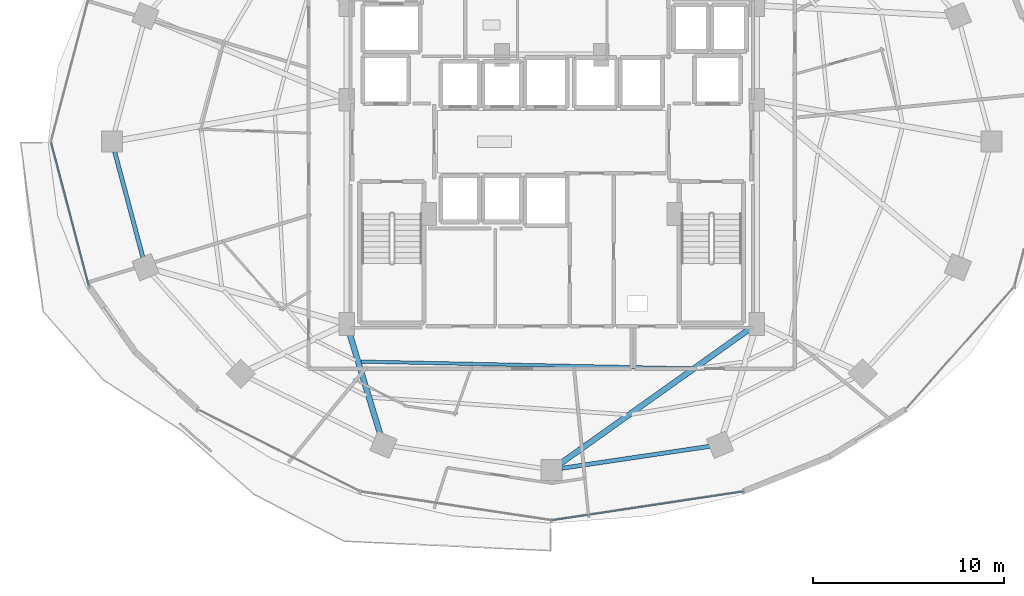
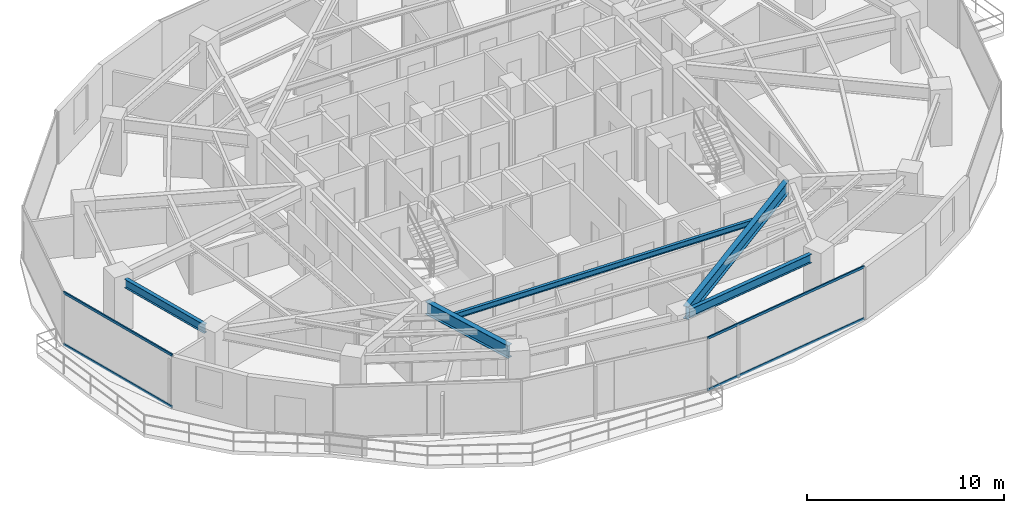
# One storey, part 6 of 29: 5 beams, 4 members, 2 elements without a shape of their own.
"""IFC4 building model written with IfcOpenShell, lengths in metres."""

from ifc_helpers import new_model, si_unit, direction, frame, origin, origin_2d, place, context, subcontext, project, spatial, hollow_rectangle, i_section, extrude, material, material_profile, profile_set, type_object, element, aggregate, save


model = new_model("IFC4")

# Units and contexts
model_context = context("Model", 3, precision=1e-05, world=origin(), true_north=direction((0.0, 1.0)))
body_context = subcontext(model_context, "Body", "Model", "MODEL_VIEW")
ifc_project = project(units=[si_unit("LENGTHUNIT", "METRE"), si_unit("AREAUNIT", "SQUARE_METRE"), si_unit("VOLUMEUNIT", "CUBIC_METRE"), si_unit("PLANEANGLEUNIT", "RADIAN"), si_unit("MASSUNIT", "GRAM", prefix="KILO")], contexts=[model_context])

# Site, building, storey
site_placement = place(None, origin())
site = spatial("IfcSite", under=ifc_project, at=site_placement, CompositionType="ELEMENT")
building_placement = place(site_placement, origin())
building = spatial("IfcBuilding", under=site, at=building_placement, Name="Vorneva Point Tower", CompositionType="ELEMENT")
storey_placement = place(building_placement, frame((0.0, 0.0, 117.300048828125)))
storey = spatial("IfcBuildingStorey", under=building, at=storey_placement, Name="L31", CompositionType="ELEMENT", Elevation=117.300048828125)

# Beams
ifc_material_1 = material(Name="Steel S355", Category="steel")
ifc_material_profile_1 = material_profile(ifc_material_1, i_section(OverallWidth=0.300048828125, OverallDepth=0.7880859375, WebThickness=0.014404296875, FlangeThickness=0.02197265625, at=origin_2d()), Name="80Sh1")
ifc_profile_set_1 = profile_set([ifc_material_profile_1], Name="Steel S355")
beam_type_1 = type_object("IfcBeamType", Name="BM-GRD-80Sh1", PredefinedType="USERDEFINED", material=ifc_profile_set_1)
beam_1_placement = place(storey_placement, frame((29.0224609375, 10.6240234375, 2.845947265625), z_axis=(-0.291034888253, 0.956712440506, 0.0), x_axis=(-0.956712440506, -0.291034888253, 0.0)))
element("IfcBeam", 1, at=beam_1_placement, inside=storey, type_object=beam_type_1, Name="L31 Radial Primary Girder 12", ObjectType="GIRDER", PredefinedType="USERDEFINED", context=body_context, shape_type="SweptSolid", body=[
    extrude(i_section(OverallWidth=0.300048828125, OverallDepth=0.7880859375, WebThickness=0.014404296875, FlangeThickness=0.02197265625, at=origin_2d()), origin(), (0.0, 0.0, 1.0), 5.74951171875),
])
beam_2_placement = place(storey_placement, frame((38.438232421875, 9.11181640625, 2.845947265625), z_axis=(0.814750142675, 0.5798122153, 0.0), x_axis=(-0.5798122153, 0.814750142675, 0.0)))
element("IfcBeam", 2, at=beam_2_placement, inside=storey, type_object=beam_type_1, Name="L31 Radial Primary Girder 13", ObjectType="GIRDER", PredefinedType="USERDEFINED", context=body_context, shape_type="SweptSolid", body=[
    extrude(i_section(OverallWidth=0.300048828125, OverallDepth=0.7880859375, WebThickness=0.014404296875, FlangeThickness=0.02197265625, at=origin_2d()), origin(), (0.0, 0.0, 1.0), 12.316162109375),
])
ifc_material_profile_2 = material_profile(ifc_material_1, i_section(OverallWidth=0.174072265625, OverallDepth=0.345947265625, WebThickness=0.006103515625, FlangeThickness=0.009033203125, at=origin_2d()), Name="35B1")
ifc_profile_set_2 = profile_set([ifc_material_profile_2], Name="Steel S355")
beam_type_2 = type_object("IfcBeamType", Name="BM-SEC-35B1", PredefinedType="BEAM", material=ifc_profile_set_2)
beam_3_placement = place(storey_placement, frame((27.989013671875, 14.4716796875, 3.06689453125), z_axis=(0.99978665184, -0.020655527177, 0.0), x_axis=(0.020655527177, 0.99978665184, 0.0)))
element("IfcBeam", 3, at=beam_3_placement, inside=storey, type_object=beam_type_2, Name="L31 Secondary Floor Beam 2.12", PredefinedType="BEAM", context=body_context, shape_type="SweptSolid", body=[
    extrude(i_section(OverallWidth=0.174072265625, OverallDepth=0.345947265625, WebThickness=0.006103515625, FlangeThickness=0.009033203125, at=origin_2d()), origin(), (0.0, 0.0, 1.0), 17.33935546875),
])
ifc_material_profile_3 = material_profile(ifc_material_1, i_section(OverallWidth=0.219970703125, OverallDepth=0.54296875, WebThickness=0.009521484375, FlangeThickness=0.013427734375, at=origin_2d()), Name="55B1")
ifc_profile_set_3 = profile_set([ifc_material_profile_3], Name="Steel S355")
beam_type_3 = type_object("IfcBeamType", Name="BM-SPN-55B1", PredefinedType="SPANDREL", material=ifc_profile_set_3)
beam_4_placement = place(storey_placement, frame((15.087890625, 25.483154296875, 2.968505859375), z_axis=(0.257572674071, -0.966258928845, 0.0), x_axis=(0.966258928845, 0.257572674071, 0.0)))
element("IfcBeam", 4, at=beam_4_placement, inside=storey, type_object=beam_type_3, Name="L31 Perimeter Spandrel Ring Beam 09", PredefinedType="SPANDREL", context=body_context, shape_type="SweptSolid", body=[
    extrude(i_section(OverallWidth=0.219970703125, OverallDepth=0.54296875, WebThickness=0.009521484375, FlangeThickness=0.013427734375, at=origin_2d()), origin(), (0.0, 0.0, 1.0), 5.7421875),
])
beam_5_placement = place(storey_placement, frame((38.529296875, 8.878662109375, 2.968505859375), z_axis=(0.989164507783, 0.146811363806, 0.0), x_axis=(-0.146811363806, 0.989164507783, 0.0)))
element("IfcBeam", 5, at=beam_5_placement, inside=storey, type_object=beam_type_3, Name="L31 Perimeter Spandrel Ring Beam 13", PredefinedType="SPANDREL", context=body_context, shape_type="SweptSolid", body=[
    extrude(i_section(OverallWidth=0.219970703125, OverallDepth=0.54296875, WebThickness=0.009521484375, FlangeThickness=0.013427734375, at=origin_2d()), origin(), (0.0, 0.0, 1.0), 7.847412109375),
])

# Curtain wall, members
ifc_material_2 = material(Name="Pale anodised aluminium", Category="aluminium")
curtain_wall_type = type_object("IfcCurtainWallType", Name="CW-HTL-SYS", PredefinedType="NOTDEFINED", material=ifc_material_2)
curtain_wall_1_placement = place(storey_placement, origin())
curtain_wall_1 = element("IfcCurtainWall", 6, at=curtain_wall_1_placement, inside=storey, type_object=curtain_wall_type, Name="L31 Unitised Curtain Wall CW-L31-R02", PredefinedType="NOTDEFINED")
ifc_material_profile_4 = material_profile(ifc_material_2, hollow_rectangle(XDim=0.074951171875, YDim=0.14990234375, WallThickness=0.00390625, at=origin_2d()), Name="AL-TRN 150x75x4")
ifc_profile_set_4 = profile_set([ifc_material_profile_4], Name="Pale anodised aluminium")
member_type = type_object("IfcMemberType", Name="CW-TRN-150", PredefinedType="USERDEFINED", material=ifc_profile_set_4)
member_1_placement = place(storey_placement, frame((11.75, 26.0, 0.02001953125), z_axis=(0.254409150465, -0.967096677773, 0.0), x_axis=(0.967096677773, 0.254409150465, 0.0)))
member_1 = element("IfcMember", 7, at=member_1_placement, type_object=member_type, Name="CW-L31-R02 Transom 03.1", ObjectType="TRANSOM", PredefinedType="USERDEFINED", context=body_context, shape_type="SweptSolid", body=[
    extrude(hollow_rectangle(XDim=0.074951171875, YDim=0.14990234375, WallThickness=0.00390625, at=origin_2d()), origin(), (0.0, 0.0, 1.0), 7.854736328125),
])
member_2_placement = place(storey_placement, frame((11.75, 26.0, 3.219970703125), z_axis=(0.254409150465, -0.967096677773, 0.0), x_axis=(0.967096677773, 0.254409150465, 0.0)))
member_2 = element("IfcMember", 8, at=member_2_placement, type_object=member_type, Name="CW-L31-R02 Transom 03.2", ObjectType="TRANSOM", PredefinedType="USERDEFINED", context=body_context, shape_type="SweptSolid", body=[
    extrude(hollow_rectangle(XDim=0.074951171875, YDim=0.14990234375, WallThickness=0.00390625, at=origin_2d()), origin(), (0.0, 0.0, 1.0), 7.854736328125),
])
aggregate(curtain_wall_1, [member_1, member_2])

curtain_wall_2_placement = place(storey_placement, origin())
curtain_wall_2 = element("IfcCurtainWall", 9, at=curtain_wall_2_placement, inside=storey, type_object=curtain_wall_type, Name="L31 Unitised Curtain Wall CW-L31-R03", PredefinedType="NOTDEFINED")
member_3_placement = place(storey_placement, frame((38.0, 6.14990234375, 0.02001953125), z_axis=(0.988875982167, 0.148742367512, 0.0), x_axis=(-0.148742367512, 0.988875982167, 0.0)))
member_3 = element("IfcMember", 10, at=member_3_placement, type_object=member_type, Name="CW-L31-R03 Transom 03.1", ObjectType="TRANSOM", PredefinedType="USERDEFINED", context=body_context, shape_type="SweptSolid", body=[
    extrude(hollow_rectangle(XDim=0.074951171875, YDim=0.14990234375, WallThickness=0.00390625, at=origin_2d()), origin(), (0.0, 0.0, 1.0), 10.158447265625),
])
member_4_placement = place(storey_placement, frame((38.0, 6.14990234375, 3.219970703125), z_axis=(0.988875982167, 0.148742367512, 0.0), x_axis=(-0.148742367512, 0.988875982167, 0.0)))
member_4 = element("IfcMember", 11, at=member_4_placement, type_object=member_type, Name="CW-L31-R03 Transom 03.2", ObjectType="TRANSOM", PredefinedType="USERDEFINED", context=body_context, shape_type="SweptSolid", body=[
    extrude(hollow_rectangle(XDim=0.074951171875, YDim=0.14990234375, WallThickness=0.00390625, at=origin_2d()), origin(), (0.0, 0.0, 1.0), 10.158447265625),
])
aggregate(curtain_wall_2, [member_3, member_4])

save(model, "model.ifc")
